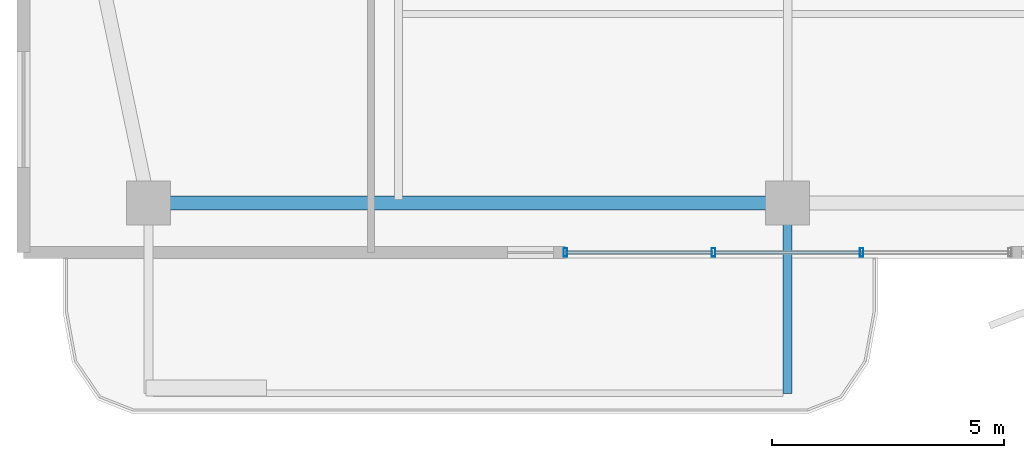
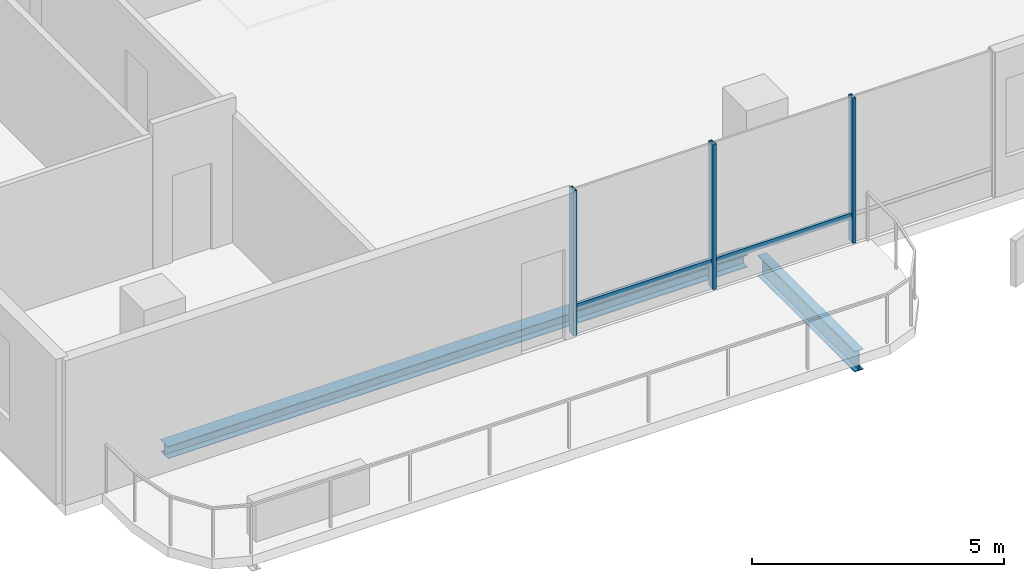
# One storey, part 2 of 17: 5 members, 2 beams, 1 element without a shape of its own.
"""IFC4 building model written with IfcOpenShell, lengths in metres."""

import ifcopenshell
import ifcopenshell.guid

model = None  # the IFC model being written
_history = None  # IfcOwnerHistory: only IFC2X3 demands one
_inside = {}  # id of a spatial element -> (the spatial element, [elements in it])
_under = {}  # id of a project, library or spatial element -> (it, [spatial elements below it])
_declared = {}  # id of a project -> (the project, [libraries it declares])
_typed = {}  # id of a type object -> (the type object, [elements of that type])
_made_of = {}  # id of a material, layer set ... -> (it, [elements and type objects made of it])


def new_model(schema):
    """Start an empty IFC model of exactly this schema.

    Asked for "IFC4X3", IfcOpenShell would pick the latest addendum, in which some entities
    have other attributes; the version numbers below select the first issue.
    IFC2X3 requires an IfcOwnerHistory on every rooted entity: one is made here for all.
    """
    global model, _history
    if schema == "IFC4X3":
        model = ifcopenshell.file(schema_version=(4, 3, 0, 0))
    else:
        model = ifcopenshell.file(schema=schema)
    _inside.clear()
    _under.clear()
    _declared.clear()
    _typed.clear()
    _made_of.clear()
    _history = None
    if model.schema == "IFC2X3":
        org = make("IfcOrganization", Name="unknown")
        user = make(
            "IfcPersonAndOrganization",
            ThePerson=make("IfcPerson", FamilyName="unknown"),
            TheOrganization=org,
        )
        app = make(
            "IfcApplication",
            ApplicationDeveloper=org,
            Version="unknown",
            ApplicationFullName="unknown",
            ApplicationIdentifier="unknown",
        )
        _history = make(
            "IfcOwnerHistory",
            OwningUser=user,
            OwningApplication=app,
            ChangeAction="ADDED",
            CreationDate=0,
        )
    return model


def make(cls, **values):
    """One entity of the class cls with the attributes given. An attribute that is None is left unset."""
    return model.create_entity(
        cls, **{name: value for name, value in values.items() if value is not None}
    )


def rooted(cls, **values):
    """An entity with a GlobalId (a new one), such as an element, a storey or a relation."""
    return make(cls, GlobalId=ifcopenshell.guid.new(), OwnerHistory=_history, **values)


def si_unit(unit_type, name, prefix=None):
    """IfcSIUnit, for example si_unit("LENGTHUNIT", "METRE", prefix="MILLI")."""
    return make("IfcSIUnit", UnitType=unit_type, Prefix=prefix, Name=name)


def assignment(units):
    """IfcUnitAssignment: the units of a project."""
    return None if units is None else make("IfcUnitAssignment", Units=units)


def point(xyz):
    """IfcCartesianPoint."""
    return None if xyz is None else make("IfcCartesianPoint", Coordinates=xyz)


def direction(xyz):
    """IfcDirection."""
    return None if xyz is None else make("IfcDirection", DirectionRatios=xyz)


def frame(location, z_axis=None, x_axis=None):
    """IfcAxis2Placement3D, a coordinate frame: its origin and axes. An axis left out is left unset."""
    return make(
        "IfcAxis2Placement3D",
        Location=point(location),
        Axis=direction(z_axis),
        RefDirection=direction(x_axis),
    )


def frame_2d(location, x_axis=None):
    """IfcAxis2Placement2D, a coordinate frame in the plane: its origin and x axis."""
    return make(
        "IfcAxis2Placement2D", Location=point(location), RefDirection=direction(x_axis)
    )


def origin():
    """The frame at (0, 0, 0) with its axes left unset."""
    return frame((0.0, 0.0, 0.0))


def origin_2d():
    """The frame at (0, 0) in the plane with its x axis left unset."""
    return frame_2d((0.0, 0.0))


def place(relative_to, where):
    """IfcLocalPlacement: puts the frame where relative to a parent placement (None: the world)."""
    return make(
        "IfcLocalPlacement", PlacementRelTo=relative_to, RelativePlacement=where
    )


def context(
    kind, dimensions, precision=None, world=None, true_north=None, identifier=None
):
    """IfcGeometricRepresentationContext, for example the 3D "Model" context."""
    return make(
        "IfcGeometricRepresentationContext",
        ContextIdentifier=identifier,
        ContextType=kind,
        CoordinateSpaceDimension=dimensions,
        Precision=precision,
        WorldCoordinateSystem=world,
        TrueNorth=true_north,
    )


def subcontext(parent, identifier, kind, view, scale=None):
    """IfcGeometricRepresentationSubContext, for example "Body" below "Model"."""
    return make(
        "IfcGeometricRepresentationSubContext",
        ContextIdentifier=identifier,
        ContextType=kind,
        ParentContext=parent,
        TargetScale=scale,
        TargetView=view,
    )


def project(units=None, contexts=None):
    """IfcProject with its units and contexts."""
    return rooted(
        "IfcProject",
        Name="project",
        RepresentationContexts=contexts,
        UnitsInContext=assignment(units),
    )


def spatial(cls, under=None, at=None, **own):
    """A site, building, storey or space (cls), placed at a placement, below another one or the project."""
    s = rooted(cls, ObjectPlacement=at, **own)
    if under is not None:
        _under.setdefault(under.id(), (under, []))[1].append(s)
    return s


def profile(cls, at=None, kind="AREA", **sizes):
    """A parametric profile (cls). Its sizes go by their IFC names, for example OverallWidth=200.0."""
    return make(cls, ProfileType=kind, Position=at, **sizes)


def hollow_rectangle(**sizes):
    """IfcRectangleHollowProfileDef."""
    return profile("IfcRectangleHollowProfileDef", **sizes)


def i_section(**sizes):
    """IfcIShapeProfileDef."""
    return profile("IfcIShapeProfileDef", **sizes)


def extrude(swept, where, along, depth):
    """IfcExtrudedAreaSolid: the profile swept, set in the frame where, extruded along a direction by depth."""
    return make(
        "IfcExtrudedAreaSolid",
        SweptArea=swept,
        Position=where,
        ExtrudedDirection=direction(along),
        Depth=depth,
    )


def shape(context_of_items, identifier, shape_type, items):
    """IfcShapeRepresentation: the items that make up one representation, for example the "Body"."""
    return make(
        "IfcShapeRepresentation",
        ContextOfItems=context_of_items,
        RepresentationIdentifier=identifier,
        RepresentationType=shape_type,
        Items=items,
    )


def material(Name=None, Category=None):
    """IfcMaterial."""
    return make("IfcMaterial", Name=Name, Category=Category)


def layer(
    of_material, thickness, ventilated=None, Name=None, Category=None, Priority=None
):
    """IfcMaterialLayer: one layer of a wall or slab, of a material (None: an air gap)."""
    return make(
        "IfcMaterialLayer",
        Material=of_material,
        LayerThickness=thickness,
        IsVentilated=ventilated,
        Name=Name,
        Category=Category,
        Priority=Priority,
    )


def layer_set(layers, Name=None):
    """IfcMaterialLayerSet."""
    return make("IfcMaterialLayerSet", MaterialLayers=layers, LayerSetName=Name)


def material_profile(
    of_material, cross_section, Name=None, Category=None, Priority=None
):
    """IfcMaterialProfile: a cross section and its material."""
    return make(
        "IfcMaterialProfile",
        Name=Name,
        Material=of_material,
        Profile=cross_section,
        Priority=Priority,
        Category=Category,
    )


def profile_set(profiles, Name=None, composite=None):
    """IfcMaterialProfileSet."""
    return make(
        "IfcMaterialProfileSet",
        Name=Name,
        MaterialProfiles=profiles,
        CompositeProfile=composite,
    )


def made_of(thing, what):
    """Note that an element or type object is made of a material, layer set ...; save() writes the relation."""
    if what is not None:
        _made_of.setdefault(what.id(), (what, []))[1].append(thing)
    return thing


def type_object(cls, material=None, **own):
    """A type object (cls), such as IfcWallType, which elements share."""
    return made_of(rooted(cls, **own), material)


def element(
    cls,
    number,
    at=None,
    inside=None,
    cuts=None,
    type_object=None,
    material=None,
    context=None,
    identifier="Body",
    shape_type=None,
    held_by="IfcProductDefinitionShape",
    body=None,
    shapes=None,
    **own,
):
    """One element of the class cls, such as IfcWall. Its Tag is "e" and its number.

    at: its placement. inside: the storey or other place that contains it. cuts: it is an
    opening in that element (IfcRelVoidsElement). A single representation is given by context,
    identifier, shape_type and body (its items); several are given by shapes. held_by: the class
    of the entity that holds the representations. save() writes the other relations.
    """
    e = rooted(cls, Tag="e%d" % number, ObjectPlacement=at, **own)
    if body is not None:
        shapes = [shape(context, identifier, shape_type, body)]
    if shapes is not None:
        e.Representation = make(held_by, Representations=shapes)
    if inside is not None:
        _inside.setdefault(inside.id(), (inside, []))[1].append(e)
    if cuts is not None:
        rooted(
            "IfcRelVoidsElement", RelatingBuildingElement=cuts, RelatedOpeningElement=e
        )
    if type_object is not None:
        _typed.setdefault(type_object.id(), (type_object, []))[1].append(e)
    return made_of(e, material)


def aggregate(whole, parts):
    """IfcRelAggregates: a whole, such as a stair, and the parts it consists of."""
    return rooted("IfcRelAggregates", RelatingObject=whole, RelatedObjects=parts)


def save(model, path):
    """Write the relations noted so far, then the file.

    IfcRelAggregates (storeys below a building ...), IfcRelContainedInSpatialStructure (elements
    in a storey), IfcRelDefinesByType, IfcRelAssociatesMaterial and IfcRelDeclares: one each for
    every whole, place, type object, material and project.
    """
    for whole, parts in _under.values():
        aggregate(whole, parts)
    for where, things in _inside.values():
        rooted(
            "IfcRelContainedInSpatialStructure",
            RelatedElements=things,
            RelatingStructure=where,
        )
    for kind, things in _typed.values():
        rooted("IfcRelDefinesByType", RelatedObjects=things, RelatingType=kind)
    for what, things in _made_of.values():
        rooted("IfcRelAssociatesMaterial", RelatedObjects=things, RelatingMaterial=what)
    for by, libraries in _declared.values():
        rooted("IfcRelDeclares", RelatingContext=by, RelatedDefinitions=libraries)
    model.write(path)


model = new_model("IFC4")

# Units and contexts
model_context = context("Model", 3, precision=1e-05, world=origin(), true_north=direction((0.0, 1.0)))
body_context = subcontext(model_context, "Body", "Model", "MODEL_VIEW")
ifc_project = project(units=[si_unit("LENGTHUNIT", "METRE"), si_unit("AREAUNIT", "SQUARE_METRE"), si_unit("VOLUMEUNIT", "CUBIC_METRE"), si_unit("PLANEANGLEUNIT", "RADIAN"), si_unit("MASSUNIT", "GRAM", prefix="KILO")], contexts=[model_context])

# Site, building, storey
site_placement = place(None, origin())
site = spatial("IfcSite", under=ifc_project, at=site_placement, CompositionType="ELEMENT")
building_placement = place(site_placement, origin())
building = spatial("IfcBuilding", under=site, at=building_placement, Name="Belovzor Exchange Tower", CompositionType="ELEMENT")
storey_placement = place(building_placement, frame((0.0, 0.0, 303.0)))
storey = spatial("IfcBuildingStorey", under=building, at=storey_placement, Name="L75", CompositionType="ELEMENT", Elevation=303.0)

# Beam
ifc_material_1 = material(Name="Steel S355", Category="steel")
ifc_material_profile_1 = material_profile(ifc_material_1, i_section(OverallWidth=0.199951171875, OverallDepth=0.5, WebThickness=0.01025390625, FlangeThickness=0.01611328125, at=origin_2d()))
ifc_profile_set_1 = profile_set([ifc_material_profile_1], Name="Steel S355")
beam_type_1 = type_object("IfcBeamType", Name="Planted Balcony Cantilever Beam IPE 500", PredefinedType="BEAM", material=ifc_profile_set_1)
beam_1_placement = place(storey_placement, frame((28.800048828125, 6.93896484375, -0.489990234375), z_axis=(0.0, -1.0, 0.0), x_axis=(1.0, 0.0, 0.0)))
element("IfcBeam", 1, at=beam_1_placement, inside=storey, type_object=beam_type_1, Name="BC-500 Planted Balcony Cantilever Beam IPE 500", PredefinedType="BEAM", context=body_context, shape_type="SweptSolid", body=[
    extrude(i_section(OverallWidth=0.199951171875, OverallDepth=0.5, WebThickness=0.01025390625, FlangeThickness=0.01611328125, at=origin_2d()), origin(), (0.0, 0.0, 1.0), 3.849853515625),
])

# Curtain wall, members
ifc_material_2 = material(Name="Anodised Aluminium Framing", Category="aluminium")
ifc_layer = layer(ifc_material_2, 0.179931640625)
ifc_layer_set = layer_set([ifc_layer], Name="Anodised Aluminium Framing")
curtain_wall_type = type_object("IfcCurtainWallType", Name="Recessed Loggia Low-Iron Triple-Glazed Curtain Wall", PredefinedType="NOTDEFINED", material=ifc_layer_set)
curtain_wall_placement = place(storey_placement, origin())
curtain_wall = element("IfcCurtainWall", 2, at=curtain_wall_placement, inside=storey, type_object=curtain_wall_type, Name="CW3 Recessed Loggia Low-Iron Triple-Glazed Curtain Wall L75", PredefinedType="NOTDEFINED")
ifc_material_3 = material(Name="Steel S355", Category="steel")
ifc_material_profile_2 = material_profile(ifc_material_3, hollow_rectangle(XDim=0.074951171875, YDim=0.179931640625, WallThickness=0.0048828125, at=origin_2d()))
ifc_profile_set_2 = profile_set([ifc_material_profile_2], Name="Steel S355")
member_type_1 = type_object("IfcMemberType", Name="Thermally Broken Curtain Wall Mullion 180x75", PredefinedType="MULLION", material=ifc_profile_set_2)
member_1_placement = place(storey_placement, frame((30.39990234375, 6.1298828125, 0.0), z_axis=(0.0, 0.0, 1.0), x_axis=(-1.0, 0.0, 0.0)))
member_1 = element("IfcMember", 3, at=member_1_placement, type_object=member_type_1, Name="CW-M180 Curtain Wall Mullion 2", PredefinedType="MULLION", context=body_context, shape_type="SweptSolid", body=[
    extrude(hollow_rectangle(XDim=0.074951171875, YDim=0.179931640625, WallThickness=0.0048828125, at=origin_2d()), origin(), (0.0, 0.0, 1.0), 3.510009765625),
])
member_2_placement = place(storey_placement, frame((27.199951171875, 6.1298828125, 0.0), z_axis=(0.0, 0.0, 1.0), x_axis=(-1.0, 0.0, 0.0)))
member_2 = element("IfcMember", 4, at=member_2_placement, type_object=member_type_1, Name="CW-M180 Curtain Wall Mullion 3", PredefinedType="MULLION", context=body_context, shape_type="SweptSolid", body=[
    extrude(hollow_rectangle(XDim=0.074951171875, YDim=0.179931640625, WallThickness=0.0048828125, at=origin_2d()), origin(), (0.0, 0.0, 1.0), 3.510009765625),
])
member_3_placement = place(storey_placement, frame((24.0, 6.1298828125, 0.0), z_axis=(0.0, 0.0, 1.0), x_axis=(-1.0, 0.0, 0.0)))
member_3 = element("IfcMember", 5, at=member_3_placement, type_object=member_type_1, Name="CW-M180 Curtain Wall Mullion 4", PredefinedType="MULLION", context=body_context, shape_type="SweptSolid", body=[
    extrude(hollow_rectangle(XDim=0.074951171875, YDim=0.179931640625, WallThickness=0.0048828125, at=origin_2d()), origin(), (0.0, 0.0, 1.0), 3.510009765625),
])
ifc_material_4 = material(Name="Steel S355", Category="steel")
ifc_material_profile_3 = material_profile(ifc_material_4, hollow_rectangle(XDim=0.06005859375, YDim=0.14990234375, WallThickness=0.00390625, at=origin_2d()))
ifc_profile_set_3 = profile_set([ifc_material_profile_3], Name="Steel S355")
member_type_2 = type_object("IfcMemberType", Name="Thermally Broken Curtain Wall Transom 150x60", PredefinedType="USERDEFINED", material=ifc_profile_set_3)
member_4_placement = place(storey_placement, frame((30.39208984375, 6.1298828125, 0.632080078125), z_axis=(-1.0, 0.0, 0.0), x_axis=(0.0, -1.0, 0.0)))
member_4 = element("IfcMember", 6, at=member_4_placement, type_object=member_type_2, Name="CW-T150 Curtain Wall Transom 2", ObjectType="TRANSOM", PredefinedType="USERDEFINED", context=body_context, shape_type="SweptSolid", body=[
    extrude(hollow_rectangle(XDim=0.06005859375, YDim=0.14990234375, WallThickness=0.00390625, at=origin_2d()), origin(), (0.0, 0.0, 1.0), 3.18408203125),
])
member_5_placement = place(storey_placement, frame((27.19189453125, 6.1298828125, 0.632080078125), z_axis=(-1.0, 0.0, 0.0), x_axis=(0.0, -1.0, 0.0)))
member_5 = element("IfcMember", 7, at=member_5_placement, type_object=member_type_2, Name="CW-T150 Curtain Wall Transom 3", ObjectType="TRANSOM", PredefinedType="USERDEFINED", context=body_context, shape_type="SweptSolid", body=[
    extrude(hollow_rectangle(XDim=0.06005859375, YDim=0.14990234375, WallThickness=0.00390625, at=origin_2d()), origin(), (0.0, 0.0, 1.0), 3.183837890625),
])
aggregate(curtain_wall, [member_1, member_2, member_3, member_4, member_5])

# Beam
ifc_material_5 = material(Name="Steel S355", Category="steel")
ifc_material_profile_4 = material_profile(ifc_material_5, i_section(OverallWidth=0.300048828125, OverallDepth=0.300048828125, WebThickness=0.008544921875, FlangeThickness=0.013916015625, at=origin_2d()))
ifc_profile_set_4 = profile_set([ifc_material_profile_4], Name="Steel S355")
beam_type_2 = type_object("IfcBeamType", Name="Zone 6 Primary Girder HEA 300", PredefinedType="BEAM", material=ifc_profile_set_4)
beam_2_placement = place(storey_placement, frame((15.260986328125, 7.199951171875, -0.389892578125), z_axis=(1.0, 0.0, 0.0), x_axis=(0.0, 1.0, 0.0)))
element("IfcBeam", 8, at=beam_2_placement, inside=storey, type_object=beam_type_2, Name="FG-Z6 Zone 6 Primary Girder HEA 300", PredefinedType="BEAM", context=body_context, shape_type="SweptSolid", body=[
    extrude(i_section(OverallWidth=0.300048828125, OverallDepth=0.300048828125, WebThickness=0.008544921875, FlangeThickness=0.013916015625, at=origin_2d()), origin(), (0.0, 0.0, 1.0), 13.278076171875),
])

save(model, "model.ifc")
